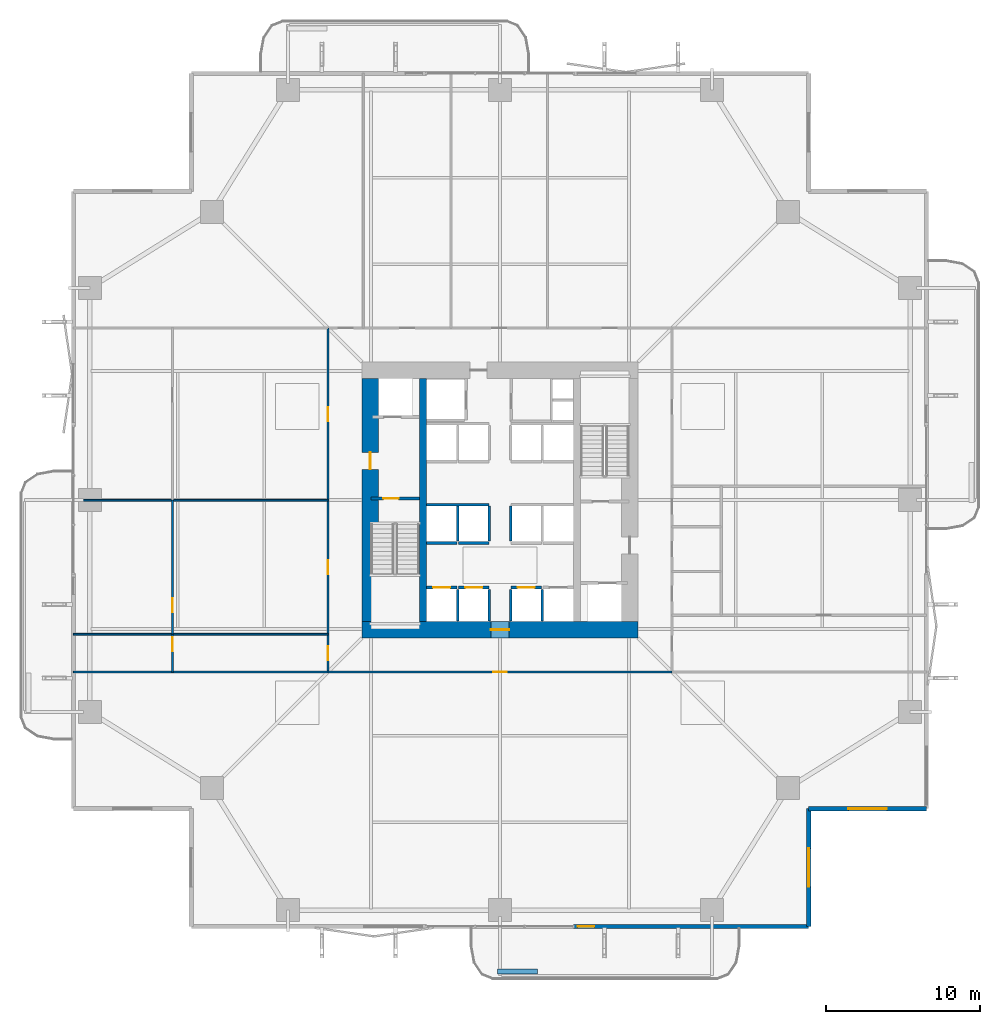
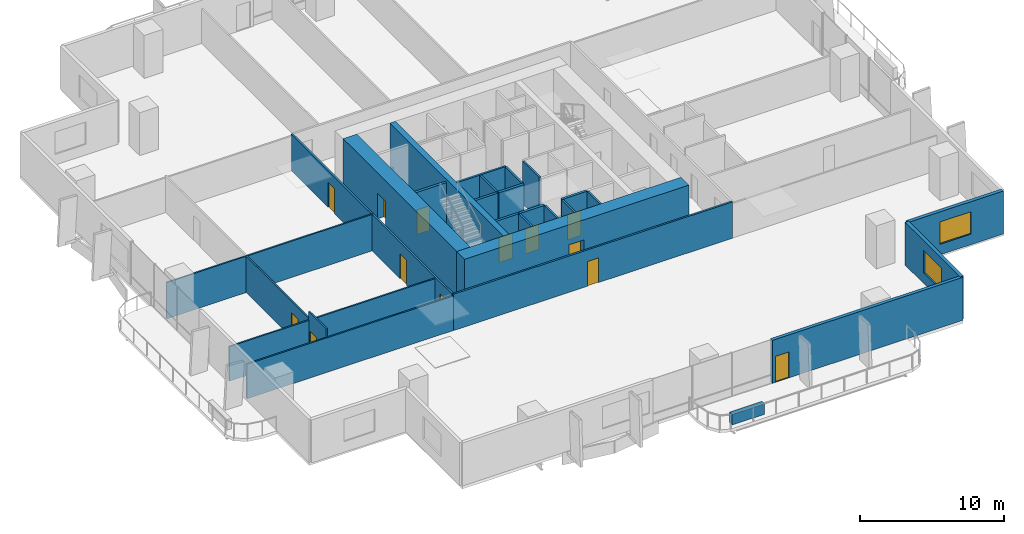
# One storey, part 17 of 24: 28 walls, 13 doors, 2 windows, 15 openings.
"""IFC4 building model written with IfcOpenShell, lengths in metres."""

from ifc_helpers import new_model, si_unit, direction, frame, frame_2d, origin, place, context, subcontext, project, spatial, rectangle, extrude, material, layer, layer_set, type_object, element, fill, save


model = new_model("IFC4")

# Units and contexts
model_context = context("Model", 3, precision=1e-05, world=origin(), true_north=direction((0.0, 1.0)))
body_context = subcontext(model_context, "Body", "Model", "MODEL_VIEW")
ifc_project = project(units=[si_unit("LENGTHUNIT", "METRE"), si_unit("AREAUNIT", "SQUARE_METRE"), si_unit("VOLUMEUNIT", "CUBIC_METRE"), si_unit("PLANEANGLEUNIT", "RADIAN"), si_unit("MASSUNIT", "GRAM", prefix="KILO")], contexts=[model_context])

# Site, building, storey
site_placement = place(None, origin())
site = spatial("IfcSite", under=ifc_project, at=site_placement, CompositionType="ELEMENT")
building_placement = place(site_placement, origin())
building = spatial("IfcBuilding", under=site, at=building_placement, Name="Belovzor Exchange Tower", CompositionType="ELEMENT")
storey_placement = place(building_placement, frame((0.0, 0.0, 72.89990234375)))
storey = spatial("IfcBuildingStorey", under=building, at=storey_placement, Name="L17", CompositionType="ELEMENT", Elevation=72.89990234375)

# Wall
ifc_material_1 = material(Name="Acoustic Plasterboard on Galvanised Studs", Category="gypsum")
ifc_layer_1 = layer(ifc_material_1, 0.1201171875)
ifc_layer_set_1 = layer_set([ifc_layer_1], Name="Acoustic Plasterboard on Galvanised Studs")
wall_type_1 = type_object("IfcWallType", Name="Acoustic Double-Stud Partition Wall 120", PredefinedType="PARTITIONING", material=ifc_layer_set_1)
wall_1_placement = place(storey_placement, frame((1.030029296875, 17.60009765625, 0.0), z_axis=(0.0, 0.0, 1.0), x_axis=(1.0, 0.0, 0.0)))
element("IfcWall", 1, at=wall_1_placement, inside=storey, type_object=wall_type_1, Name="W-P120 Partition Wall W-L17-END-SW", PredefinedType="PARTITIONING", context=body_context, shape_type="SweptSolid", body=[
    extrude(rectangle(XDim=16.570068359375, YDim=0.1201171875, at=frame_2d((8.28515625, 0.0))), origin(), (0.0, 0.0, 1.0), 2.93505859375),
])

# Wall, opening, door
wall_2_placement = place(storey_placement, frame((7.47607421875, 17.60009765625, 0.0), z_axis=(0.0, 0.0, 1.0), x_axis=(0.0, 1.0, 0.0)))
wall_2 = element("IfcWall", 2, at=wall_2_placement, inside=storey, type_object=wall_type_1, Name="W-P120 Partition Wall W-L17-WHDIV-0", PredefinedType="PARTITIONING", context=body_context, shape_type="SweptSolid", body=[
    extrude(rectangle(XDim=2.455810546875, YDim=0.1201171875, at=frame_2d((1.22802734375, 0.0))), origin(), (0.0, 0.0, 1.0), 3.650146484375),
])
opening_1_placement = place(wall_2_placement, frame((1.35595703125, 0.0, 0.0)))
opening_1 = element("IfcOpeningElement", 3, at=opening_1_placement, cuts=wall_2, Name="Opening D-INT-090", PredefinedType="OPENING", context=body_context, shape_type="SweptSolid", body=[
    extrude(rectangle(XDim=0.89990234375, YDim=2.10009765625, at=frame_2d((0.449951171875, 1.050048828125))), frame((0.0, 0.070068359375, 0.0), z_axis=(0.0, -1.0, 0.0), x_axis=(1.0, 0.0, 0.0)), (0.0, 0.0, 1.0), 0.14013671875),
])
ifc_material_2 = material(Name="Veneered Hardwood Acoustic Leaf", Category="wood")
door_type_1 = type_object("IfcDoorType", Name="Trading Suite Acoustic Single Door 900x2100", OperationType="NOTDEFINED", PredefinedType="DOOR", material=ifc_material_2)
door_1_placement = place(opening_1_placement, origin())
door_1 = element("IfcDoor", 4, at=door_1_placement, inside=storey, type_object=door_type_1, Name="D-INT-090 Trading Suite Acoustic Single Door 900x2100", OperationType="SINGLE_SWING_LEFT", OverallHeight=2.10009765625, OverallWidth=0.89990234375, PredefinedType="DOOR", context=body_context, shape_type="SweptSolid", body=[
    extrude(rectangle(XDim=0.89990234375, YDim=2.10009765625, at=frame_2d((0.449951171875, 1.050048828125))), frame((0.0, 0.02490234375, 0.0), z_axis=(0.0, -1.0, 0.0), x_axis=(1.0, 0.0, 0.0)), (0.0, 0.0, 1.0), 0.050048828125),
])
fill(opening_1, door_1)

# Wall
wall_3_placement = place(storey_placement, frame((1.030029296875, 20.055908203125, 0.0), z_axis=(0.0, 0.0, 1.0), x_axis=(1.0, 0.0, 0.0)))
element("IfcWall", 5, at=wall_3_placement, inside=storey, type_object=wall_type_1, Name="W-P120 Partition Wall W-L17-WDIV-1", PredefinedType="PARTITIONING", context=body_context, shape_type="SweptSolid", body=[
    extrude(rectangle(XDim=16.570068359375, YDim=0.1201171875, at=frame_2d((8.28515625, 0.0))), origin(), (0.0, 0.0, 1.0), 2.93505859375),
])

# Wall, opening, door
wall_4_placement = place(storey_placement, frame((7.47607421875, 20.055908203125, 0.0), z_axis=(0.0, 0.0, 1.0), x_axis=(0.0, 1.0, 0.0)))
wall_4 = element("IfcWall", 6, at=wall_4_placement, inside=storey, type_object=wall_type_1, Name="W-P120 Partition Wall W-L17-WHDIV-1", PredefinedType="PARTITIONING", context=body_context, shape_type="SweptSolid", body=[
    extrude(rectangle(XDim=8.731201171875, YDim=0.1201171875, at=frame_2d((4.36572265625, 0.0))), origin(), (0.0, 0.0, 1.0), 3.085205078125),
])
opening_2_placement = place(wall_4_placement, frame((1.43798828125, 0.0, 0.0)))
opening_2 = element("IfcOpeningElement", 7, at=opening_2_placement, cuts=wall_4, Name="Opening D-INT-090", PredefinedType="OPENING", context=body_context, shape_type="SweptSolid", body=[
    extrude(rectangle(XDim=0.89990234375, YDim=2.10009765625, at=frame_2d((0.449951171875, 1.050048828125))), frame((0.0, 0.070068359375, 0.0), z_axis=(0.0, -1.0, 0.0), x_axis=(1.0, 0.0, 0.0)), (0.0, 0.0, 1.0), 0.14013671875),
])
door_2_placement = place(opening_2_placement, origin())
door_2 = element("IfcDoor", 8, at=door_2_placement, inside=storey, type_object=door_type_1, Name="D-INT-090 Trading Suite Acoustic Single Door 900x2100", OperationType="SINGLE_SWING_LEFT", OverallHeight=2.10009765625, OverallWidth=0.89990234375, PredefinedType="DOOR", context=body_context, shape_type="SweptSolid", body=[
    extrude(rectangle(XDim=0.89990234375, YDim=2.10009765625, at=frame_2d((0.449951171875, 1.050048828125))), frame((0.0, 0.02490234375, 0.0), z_axis=(0.0, -1.0, 0.0), x_axis=(1.0, 0.0, 0.0)), (0.0, 0.0, 1.0), 0.050048828125),
])
fill(opening_2, door_2)

# Wall
wall_5_placement = place(storey_placement, frame((1.030029296875, 28.787109375, 0.0), z_axis=(0.0, 0.0, 1.0), x_axis=(1.0, 0.0, 0.0)))
element("IfcWall", 9, at=wall_5_placement, inside=storey, type_object=wall_type_1, Name="W-P120 Partition Wall W-L17-WDIV-2", PredefinedType="PARTITIONING", context=body_context, shape_type="SweptSolid", body=[
    extrude(rectangle(XDim=16.570068359375, YDim=0.1201171875, at=frame_2d((8.28515625, 0.0))), origin(), (0.0, 0.0, 1.0), 3.085205078125),
])

# Wall, opening, door
ifc_material_3 = material(Name="Fire-Rated Gypsum Block and Mineral Wool", Category="gypsum")
ifc_layer_2 = layer(ifc_material_3, 0.14990234375)
ifc_layer_set_2 = layer_set([ifc_layer_2], Name="Fire-Rated Gypsum Block and Mineral Wool")
wall_type_2 = type_object("IfcWallType", Name="Fire-Rated Gypsum Block Corridor Wall 150", PredefinedType="PARTITIONING", material=ifc_layer_set_2)
wall_6_placement = place(storey_placement, frame((17.60009765625, 17.60009765625, 0.0), z_axis=(0.0, 0.0, 1.0), x_axis=(1.0, 0.0, 0.0)))
wall_6 = element("IfcWall", 10, at=wall_6_placement, inside=storey, type_object=wall_type_2, Name="W-P150 Partition Wall W-L17-CS", PredefinedType="PARTITIONING", context=body_context, shape_type="SweptSolid", body=[
    extrude(rectangle(XDim=22.39990234375, YDim=0.14990234375, at=frame_2d((11.199951171875, 0.0))), origin(), (0.0, 0.0, 1.0), 3.085205078125),
])
opening_3_placement = place(wall_6_placement, frame((10.75, 0.0, 0.0)))
opening_3 = element("IfcOpeningElement", 11, at=opening_3_placement, cuts=wall_6, Name="Opening D-INT-090", PredefinedType="OPENING", context=body_context, shape_type="SweptSolid", body=[
    extrude(rectangle(XDim=0.89990234375, YDim=2.10009765625, at=frame_2d((0.449951171875, 1.050048828125))), frame((0.0, 0.0849609375, 0.0), z_axis=(0.0, -1.0, 0.0), x_axis=(1.0, 0.0, 0.0)), (0.0, 0.0, 1.0), 0.169921875),
])
door_3_placement = place(opening_3_placement, origin())
door_3 = element("IfcDoor", 12, at=door_3_placement, inside=storey, type_object=door_type_1, Name="D-INT-090 Trading Suite Acoustic Single Door 900x2100", OperationType="SINGLE_SWING_LEFT", OverallHeight=2.10009765625, OverallWidth=0.89990234375, PredefinedType="DOOR", context=body_context, shape_type="SweptSolid", body=[
    extrude(rectangle(XDim=0.89990234375, YDim=2.10009765625, at=frame_2d((0.449951171875, 1.050048828125))), frame((0.0, 0.02490234375, 0.0), z_axis=(0.0, -1.0, 0.0), x_axis=(1.0, 0.0, 0.0)), (0.0, 0.0, 1.0), 0.050048828125),
])
fill(opening_3, door_3)

# Wall, openings, doors
wall_7_placement = place(storey_placement, frame((17.60009765625, 17.60009765625, 0.0), z_axis=(0.0, 0.0, 1.0), x_axis=(0.0, 1.0, 0.0)))
wall_7 = element("IfcWall", 13, at=wall_7_placement, inside=storey, type_object=wall_type_2, Name="W-P150 Partition Wall W-L17-CW", PredefinedType="PARTITIONING", context=body_context, shape_type="SweptSolid", body=[
    extrude(rectangle(XDim=22.39990234375, YDim=0.14990234375, at=frame_2d((11.199951171875, 0.0))), origin(), (0.0, 0.0, 1.0), 3.085205078125),
])
opening_4_placement = place(wall_7_placement, frame((0.778076171875, 0.0, 0.0)))
opening_4 = element("IfcOpeningElement", 14, at=opening_4_placement, cuts=wall_7, Name="Opening D-INT-090", PredefinedType="OPENING", context=body_context, shape_type="SweptSolid", body=[
    extrude(rectangle(XDim=0.89990234375, YDim=2.10009765625, at=frame_2d((0.449951171875, 1.050048828125))), frame((0.0, 0.0849609375, 0.0), z_axis=(0.0, -1.0, 0.0), x_axis=(1.0, 0.0, 0.0)), (0.0, 0.0, 1.0), 0.169921875),
])
opening_5_placement = place(wall_7_placement, frame((6.3720703125, 0.0, 0.0)))
opening_5 = element("IfcOpeningElement", 15, at=opening_5_placement, cuts=wall_7, Name="Opening D-INT-090", PredefinedType="OPENING", context=body_context, shape_type="SweptSolid", body=[
    extrude(rectangle(XDim=0.89990234375, YDim=2.10009765625, at=frame_2d((0.449951171875, 1.050048828125))), frame((0.0, 0.0849609375, 0.0), z_axis=(0.0, -1.0, 0.0), x_axis=(1.0, 0.0, 0.0)), (0.0, 0.0, 1.0), 0.169921875),
])
opening_6_placement = place(wall_7_placement, frame((16.343017578125, 0.0, 0.0)))
opening_6 = element("IfcOpeningElement", 16, at=opening_6_placement, cuts=wall_7, Name="Opening D-INT-090", PredefinedType="OPENING", context=body_context, shape_type="SweptSolid", body=[
    extrude(rectangle(XDim=0.89990234375, YDim=2.10009765625, at=frame_2d((0.449951171875, 1.050048828125))), frame((0.0, 0.0849609375, 0.0), z_axis=(0.0, -1.0, 0.0), x_axis=(1.0, 0.0, 0.0)), (0.0, 0.0, 1.0), 0.169921875),
])
door_4_placement = place(opening_4_placement, origin())
door_4 = element("IfcDoor", 17, at=door_4_placement, inside=storey, type_object=door_type_1, Name="D-INT-090 Trading Suite Acoustic Single Door 900x2100", OperationType="SINGLE_SWING_LEFT", OverallHeight=2.10009765625, OverallWidth=0.89990234375, PredefinedType="DOOR", context=body_context, shape_type="SweptSolid", body=[
    extrude(rectangle(XDim=0.89990234375, YDim=2.10009765625, at=frame_2d((0.449951171875, 1.050048828125))), frame((0.0, 0.02490234375, 0.0), z_axis=(0.0, -1.0, 0.0), x_axis=(1.0, 0.0, 0.0)), (0.0, 0.0, 1.0), 0.050048828125),
])
fill(opening_4, door_4)
door_5_placement = place(opening_5_placement, origin())
door_5 = element("IfcDoor", 18, at=door_5_placement, inside=storey, type_object=door_type_1, Name="D-INT-090 Trading Suite Acoustic Single Door 900x2100", OperationType="SINGLE_SWING_RIGHT", OverallHeight=2.10009765625, OverallWidth=0.89990234375, PredefinedType="DOOR", context=body_context, shape_type="SweptSolid", body=[
    extrude(rectangle(XDim=0.89990234375, YDim=2.10009765625, at=frame_2d((0.449951171875, 1.050048828125))), frame((0.0, 0.02490234375, 0.0), z_axis=(0.0, -1.0, 0.0), x_axis=(1.0, 0.0, 0.0)), (0.0, 0.0, 1.0), 0.050048828125),
])
fill(opening_5, door_5)
door_6_placement = place(opening_6_placement, origin())
door_6 = element("IfcDoor", 19, at=door_6_placement, inside=storey, type_object=door_type_1, Name="D-INT-090 Trading Suite Acoustic Single Door 900x2100", OperationType="SINGLE_SWING_LEFT", OverallHeight=2.10009765625, OverallWidth=0.89990234375, PredefinedType="DOOR", context=body_context, shape_type="SweptSolid", body=[
    extrude(rectangle(XDim=0.89990234375, YDim=2.10009765625, at=frame_2d((0.449951171875, 1.050048828125))), frame((0.0, 0.02490234375, 0.0), z_axis=(0.0, -1.0, 0.0), x_axis=(1.0, 0.0, 0.0)), (0.0, 0.0, 1.0), 0.050048828125),
])
fill(opening_6, door_6)

# Wall, opening, window
ifc_material_4 = material(Name="Precast concrete C40/50", Category="concrete")
ifc_layer_3 = layer(ifc_material_4, 0.280029296875)
ifc_layer_set_3 = layer_set([ifc_layer_3], Name="Precast concrete C40/50")
wall_type_3 = type_object("IfcWallType", Name="Precast Concrete Notched Corner Frame Wall 280", PredefinedType="SOLIDWALL", material=ifc_layer_set_3)
wall_8_placement = place(storey_placement, frame((56.570068359375, 8.699951171875, 0.0), z_axis=(0.0, 0.0, 1.0), x_axis=(-1.0, 0.0, 0.0)))
wall_8 = element("IfcWall", 20, at=wall_8_placement, inside=storey, type_object=wall_type_3, Name="W-CRN280 Precast Concrete Notched Corner Frame Wall 280 L17", PredefinedType="SOLIDWALL", context=body_context, shape_type="SweptSolid", body=[
    extrude(rectangle(XDim=7.670166015625, YDim=0.280029296875, at=frame_2d((3.8349609375, 0.0))), origin(), (0.0, 0.0, 1.0), 3.650146484375),
])
opening_7_placement = place(wall_8_placement, frame((2.5849609375, 0.0, 0.89990234375)))
opening_7 = element("IfcOpeningElement", 21, at=opening_7_placement, cuts=wall_8, Name="Opening WN-CRN250", PredefinedType="OPENING", context=body_context, shape_type="SweptSolid", body=[
    extrude(rectangle(XDim=2.5, YDim=1.89990234375, at=frame_2d((1.25, 0.949951171875))), frame((0.0, 0.14990234375, 0.0), z_axis=(0.0, -1.0, 0.0), x_axis=(1.0, 0.0, 0.0)), (0.0, 0.0, 1.0), 0.300048828125),
])
ifc_material_5 = material(Name="Thermally Broken Aluminium and Triple Glazing", Category="aluminium")
window_type = type_object("IfcWindowType", Name="Streamline Moderne Corner Wrap Ribbon Window 2500x1900", PartitioningType="SINGLE_PANEL", PredefinedType="WINDOW", material=ifc_material_5)
window_1_placement = place(opening_7_placement, origin())
window_1 = element("IfcWindow", 22, at=window_1_placement, inside=storey, type_object=window_type, Name="WN-CRN250 Streamline Moderne Corner Wrap Ribbon Window 2500x1900", OverallHeight=1.89990234375, OverallWidth=2.5, PartitioningType="SINGLE_PANEL", PredefinedType="WINDOW", context=body_context, shape_type="SweptSolid", body=[
    extrude(rectangle(XDim=2.5, YDim=1.89990234375, at=frame_2d((1.25, 0.949951171875))), frame((0.0, 0.030029296875, 0.0), z_axis=(0.0, -1.0, 0.0), x_axis=(1.0, 0.0, 0.0)), (0.0, 0.0, 1.0), 0.06005859375),
])
fill(opening_7, window_1)

wall_9_placement = place(storey_placement, frame((48.89990234375, 8.699951171875, 0.0), z_axis=(0.0, 0.0, 1.0), x_axis=(0.0, -1.0, 0.0)))
wall_9 = element("IfcWall", 23, at=wall_9_placement, inside=storey, type_object=wall_type_3, Name="W-CRN280 Precast Concrete Notched Corner Frame Wall 280 L17", PredefinedType="SOLIDWALL", context=body_context, shape_type="SweptSolid", body=[
    extrude(rectangle(XDim=7.669921875, YDim=0.280029296875, at=frame_2d((3.8349609375, 0.0))), origin(), (0.0, 0.0, 1.0), 3.650146484375),
])
opening_8_placement = place(wall_9_placement, frame((2.5849609375, 0.0, 0.89990234375)))
opening_8 = element("IfcOpeningElement", 24, at=opening_8_placement, cuts=wall_9, Name="Opening WN-CRN250", PredefinedType="OPENING", context=body_context, shape_type="SweptSolid", body=[
    extrude(rectangle(XDim=2.5, YDim=1.89990234375, at=frame_2d((1.25, 0.949951171875))), frame((0.0, 0.14990234375, 0.0), z_axis=(0.0, -1.0, 0.0), x_axis=(1.0, 0.0, 0.0)), (0.0, 0.0, 1.0), 0.300048828125),
])
window_2_placement = place(opening_8_placement, origin())
window_2 = element("IfcWindow", 25, at=window_2_placement, inside=storey, type_object=window_type, Name="WN-CRN250 Streamline Moderne Corner Wrap Ribbon Window 2500x1900", OverallHeight=1.89990234375, OverallWidth=2.5, PartitioningType="SINGLE_PANEL", PredefinedType="WINDOW", context=body_context, shape_type="SweptSolid", body=[
    extrude(rectangle(XDim=2.5, YDim=1.89990234375, at=frame_2d((1.25, 0.949951171875))), frame((0.0, 0.030029296875, 0.0), z_axis=(0.0, -1.0, 0.0), x_axis=(1.0, 0.0, 0.0)), (0.0, 0.0, 1.0), 0.06005859375),
])
fill(opening_8, window_2)

# Wall, opening, door
ifc_material_6 = material(Name="Precast concrete C40/50", Category="concrete")
ifc_layer_4 = layer(ifc_material_6, 0.260009765625)
ifc_layer_set_4 = layer_set([ifc_layer_4], Name="Precast concrete C40/50")
wall_type_4 = type_object("IfcWallType", Name="Precast Concrete Perimeter Loggia Frame Wall 260", PredefinedType="SOLIDWALL", material=ifc_layer_set_4)
wall_10_placement = place(storey_placement, frame((48.89990234375, 1.030029296875, 0.0), z_axis=(0.0, 0.0, 1.0), x_axis=(-1.0, 0.0, 0.0)))
wall_10 = element("IfcWall", 26, at=wall_10_placement, inside=storey, type_object=wall_type_4, Name="W-EXT260 Precast Concrete Perimeter Loggia Frame Wall 260 L17", PredefinedType="SOLIDWALL", context=body_context, shape_type="SweptSolid", body=[
    extrude(rectangle(XDim=15.2998046875, YDim=0.260009765625, at=frame_2d((7.64990234375, 0.0))), origin(), (0.0, 0.0, 1.0), 3.650146484375),
])
opening_9_placement = place(wall_10_placement, frame((13.949951171875, 0.0, 0.0)))
opening_9 = element("IfcOpeningElement", 27, at=opening_9_placement, cuts=wall_10, Name="Opening D-BAL110", PredefinedType="OPENING", context=body_context, shape_type="SweptSolid", body=[
    extrude(rectangle(XDim=1.10009765625, YDim=2.199951171875, at=frame_2d((0.550048828125, 1.10009765625))), frame((0.0, 0.139892578125, 0.0), z_axis=(0.0, -1.0, 0.0), x_axis=(1.0, 0.0, 0.0)), (0.0, 0.0, 1.0), 0.280029296875),
])
ifc_material_7 = material(Name="Thermally Broken Anodised Aluminium and Laminated Glass", Category="aluminium")
door_type_2 = type_object("IfcDoorType", Name="Planted Loggia Terrace Glazed Door 1100x2200", OperationType="SINGLE_SWING_LEFT", PredefinedType="DOOR", material=ifc_material_7)
door_7_placement = place(opening_9_placement, origin())
door_7 = element("IfcDoor", 28, at=door_7_placement, inside=storey, type_object=door_type_2, Name="D-BAL110 Balcony Terrace Door L17 S", OperationType="SINGLE_SWING_LEFT", OverallHeight=2.199951171875, OverallWidth=1.10009765625, PredefinedType="DOOR", context=body_context, shape_type="SweptSolid", body=[
    extrude(rectangle(XDim=1.10009765625, YDim=2.199951171875, at=frame_2d((0.550048828125, 1.10009765625))), frame((0.0, 0.02490234375, 0.0), z_axis=(0.0, -1.0, 0.0), x_axis=(1.0, 0.0, 0.0)), (0.0, 0.0, 1.0), 0.050048828125),
])
fill(opening_9, door_7)

# Walls
ifc_material_8 = material(Name="Precast concrete C40/50", Category="concrete")
ifc_layer_5 = layer(ifc_material_8, 0.35009765625)
ifc_layer_set_5 = layer_set([ifc_layer_5], Name="Precast concrete C40/50")
wall_type_5 = type_object("IfcWallType", Name="Precast Concrete Structural Tree Planter Trough 350", PredefinedType="PARAPET", material=ifc_layer_set_5)
wall_11_placement = place(storey_placement, frame((28.64990234375, -1.89990234375, 0.0), z_axis=(0.0, 0.0, 1.0), x_axis=(1.0, 0.0, 0.0)))
element("IfcWall", 29, at=wall_11_placement, inside=storey, type_object=wall_type_5, Name="PT-350 Precast Concrete Structural Tree Planter Trough 350 L17", PredefinedType="PARAPET", context=body_context, shape_type="SweptSolid", body=[
    extrude(rectangle(XDim=2.60009765625, YDim=0.35009765625, at=frame_2d((1.300048828125, 0.0))), origin(), (0.0, 0.0, 1.0), 0.900146484375),
])
ifc_material_9 = material(Name="Concrete C50/60", Category="concrete")
ifc_layer_6 = layer(ifc_material_9, 0.449951171875)
ifc_layer_set_6 = layer_set([ifc_layer_6], Name="Concrete C50/60")
wall_type_6 = type_object("IfcWallType", Name="Reinforced Concrete Core Internal Web Wall 450", PredefinedType="SHEAR", material=ifc_layer_set_6)
wall_12_placement = place(storey_placement, frame((23.77490234375, 20.89990234375, 0.0), z_axis=(0.0, 0.0, 1.0), x_axis=(0.0, 1.0, 0.0)))
element("IfcWall", 30, at=wall_12_placement, inside=storey, type_object=wall_type_6, Name="CW-W045 Core Internal Web Wall L17 WL", PredefinedType="SHEAR", context=body_context, shape_type="SweptSolid", body=[
    extrude(rectangle(XDim=15.800048828125, YDim=0.449951171875, at=frame_2d((7.89990234375, 0.0))), origin(), (0.0, 0.0, 1.0), 3.900146484375),
])
ifc_material_10 = material(Name="Concrete C50/60", Category="concrete")
ifc_layer_7 = layer(ifc_material_10, 0.14990234375)
ifc_layer_set_7 = layer_set([ifc_layer_7], Name="Concrete C50/60")
wall_type_7 = type_object("IfcWallType", Name="Reinforced Concrete Core Riser Shear Wall 150", PredefinedType="SHEAR", material=ifc_layer_set_7)
for number, where, z_axis, x_axis, name in (
    (31, (26.050048828125, 20.919921875, 0.0), (0.0, 0.0, 1.0), (0.0, 1.0, 0.0), "W-C150S Core Shaft Wall W-SHD-L17-PLL-1"),
    (32, (28.10009765625, 20.919921875, 0.0), (0.0, 0.0, 1.0), (0.0, 1.0, 0.0), "W-C150S Core Shaft Wall W-SHD-L17-PLL-2"),
    (33, (29.5, 20.919921875, 0.0), (0.0, 0.0, 1.0), (0.0, 1.0, 0.0), "W-C150S Core Shaft Wall W-SHD-L17-PLL-3"),
    (34, (31.550048828125, 20.919921875, 0.0), (0.0, 0.0, 1.0), (0.0, 1.0, 0.0), "W-C150S Core Shaft Wall W-SHD-L17-PLL-4"),
):
    element("IfcWall", number, at=place(storey_placement, frame(where, z_axis=z_axis, x_axis=x_axis)), inside=storey, type_object=wall_type_7, Name=name, PredefinedType="SHEAR", context=body_context, shape_type="SweptSolid", body=[
        extrude(rectangle(XDim=2.06005859375, YDim=0.14990234375, at=frame_2d((1.030029296875, 0.0))), origin(), (0.0, 0.0, 1.0), 3.650146484375),
    ])
wall_13_placement = place(storey_placement, frame((24.02001953125, 28.5, 0.0), z_axis=(0.0, 0.0, 1.0), x_axis=(1.0, 0.0, 0.0)))
element("IfcWall", 35, at=wall_13_placement, inside=storey, type_object=wall_type_7, Name="W-C150S Core Shaft Wall W-SHB-L17-PLM-NW", PredefinedType="SHEAR", context=body_context, shape_type="SweptSolid", body=[
    extrude(rectangle(XDim=4.080078125, YDim=0.14990234375, at=frame_2d((2.0400390625, 0.0))), origin(), (0.0, 0.0, 1.0), 3.650146484375),
])
for number, where, z_axis, x_axis, name in (
    (36, (26.050048828125, 26.1201171875, 0.0), (0.0, 0.0, 1.0), (0.0, 1.0, 0.0), "W-C150S Core Shaft Wall W-SHD-L17-PLM-1"),
    (37, (28.10009765625, 26.1201171875, 0.0), (0.0, 0.0, 1.0), (0.0, 1.0, 0.0), "W-C150S Core Shaft Wall W-SHD-L17-PLM-2"),
    (38, (29.5, 26.1201171875, 0.0), (0.0, 0.0, 1.0), (0.0, 1.0, 0.0), "W-C150S Core Shaft Wall W-SHD-L17-PLM-3"),
):
    element("IfcWall", number, at=place(storey_placement, frame(where, z_axis=z_axis, x_axis=x_axis)), inside=storey, type_object=wall_type_7, Name=name, PredefinedType="SHEAR", context=body_context, shape_type="SweptSolid", body=[
        extrude(rectangle(XDim=2.27978515625, YDim=0.14990234375, at=frame_2d((1.139892578125, 0.0))), origin(), (0.0, 0.0, 1.0), 3.650146484375),
    ])

# Wall, opening, door
ifc_material_11 = material(Name="Concrete C50/60", Category="concrete")
ifc_layer_8 = layer(ifc_material_11, 0.199951171875)
ifc_layer_set_8 = layer_set([ifc_layer_8], Name="Concrete C50/60")
wall_type_8 = type_object("IfcWallType", Name="Reinforced Concrete Core Shaft Shear Wall 200", PredefinedType="SHEAR", material=ifc_layer_set_8)
wall_14_placement = place(storey_placement, frame((20.39990234375, 28.89990234375, 0.0), z_axis=(0.0, 0.0, 1.0), x_axis=(1.0, 0.0, 0.0)))
wall_14 = element("IfcWall", 39, at=wall_14_placement, inside=storey, type_object=wall_type_8, Name="W-C200S Core Shaft Wall W-CORE-L17-FFLW1", PredefinedType="SHEAR", context=body_context, shape_type="SweptSolid", body=[
    extrude(rectangle(XDim=3.150146484375, YDim=0.199951171875, at=frame_2d((1.5751953125, 0.0))), origin(), (0.0, 0.0, 1.0), 3.650146484375),
])
opening_10_placement = place(wall_14_placement, frame((0.800048828125, 0.0, 0.0)))
opening_10 = element("IfcOpeningElement", 40, at=opening_10_placement, cuts=wall_14, Name="Opening D-FD90-100", PredefinedType="OPENING", context=body_context, shape_type="SweptSolid", body=[
    extrude(rectangle(XDim=1.0, YDim=2.10009765625, at=frame_2d((0.5, 1.050048828125))), frame((0.0, 0.10986328125, 0.0), z_axis=(0.0, -1.0, 0.0), x_axis=(1.0, 0.0, 0.0)), (0.0, 0.0, 1.0), 0.219970703125),
])
ifc_material_12 = material(Name="Fire-Rated Galvanised Steel Leaf", Category="steel")
door_type_3 = type_object("IfcDoorType", Name="Protected Stairwell Single Fire Door 1000x2100", OperationType="NOTDEFINED", PredefinedType="DOOR", material=ifc_material_12)
door_8_placement = place(opening_10_placement, origin())
door_8 = element("IfcDoor", 41, at=door_8_placement, inside=storey, type_object=door_type_3, Name="D-FD90-100 Protected Stairwell Single Fire Door 1000x2100", OperationType="SINGLE_SWING_RIGHT", OverallHeight=2.10009765625, OverallWidth=1.0, PredefinedType="DOOR", context=body_context, shape_type="SweptSolid", body=[
    extrude(rectangle(XDim=1.0, YDim=2.10009765625, at=frame_2d((0.5, 1.050048828125))), frame((0.0, 0.02490234375, 0.0), z_axis=(0.0, -1.0, 0.0), x_axis=(1.0, 0.0, 0.0)), (0.0, 0.0, 1.0), 0.050048828125),
])
fill(opening_10, door_8)

wall_15_placement = place(storey_placement, frame((24.0, 23.10009765625, 0.0), z_axis=(0.0, 0.0, 1.0), x_axis=(1.0, 0.0, 0.0)))
wall_15 = element("IfcWall", 42, at=wall_15_placement, inside=storey, type_object=wall_type_8, Name="W-C200S Core Shaft Wall W-SH-L17-PL-L1", PredefinedType="SHEAR", context=body_context, shape_type="SweptSolid", body=[
    extrude(rectangle(XDim=2.0, YDim=0.199951171875, at=frame_2d((1.0, 0.0))), origin(), (0.0, 0.0, 1.0), 3.650146484375),
])
opening_11_placement = place(wall_15_placement, frame((0.449951171875, 0.0, 0.0)))
opening_11 = element("IfcOpeningElement", 43, at=opening_11_placement, cuts=wall_15, Name="Opening LD-110", PredefinedType="OPENING", context=body_context, shape_type="SweptSolid", body=[
    extrude(rectangle(XDim=1.10009765625, YDim=2.14990234375, at=frame_2d((0.550048828125, 1.074951171875))), frame((0.0, 0.10986328125, 0.0), z_axis=(0.0, -1.0, 0.0), x_axis=(1.0, 0.0, 0.0)), (0.0, 0.0, 1.0), 0.219970703125),
])
ifc_material_13 = material(Name="Stainless Steel Grade 304", Category="steel")
door_type_4 = type_object("IfcDoorType", Name="Automated Stainless Steel Lift Landing Door 1100x2150", OperationType="SLIDING_TO_RIGHT", PredefinedType="DOOR", material=ifc_material_13)
door_9_placement = place(opening_11_placement, origin())
door_9 = element("IfcDoor", 44, at=door_9_placement, inside=storey, type_object=door_type_4, Name="LD-110 Automated Stainless Steel Lift Landing Door 1100x2150", OperationType="SLIDING_TO_RIGHT", OverallHeight=2.14990234375, OverallWidth=1.10009765625, PredefinedType="DOOR", context=body_context, shape_type="SweptSolid", body=[
    extrude(rectangle(XDim=1.10009765625, YDim=2.14990234375, at=frame_2d((0.550048828125, 1.074951171875))), frame((0.0, 0.02490234375, 0.0), z_axis=(0.0, -1.0, 0.0), x_axis=(1.0, 0.0, 0.0)), (0.0, 0.0, 1.0), 0.050048828125),
])
fill(opening_11, door_9)

wall_16_placement = place(storey_placement, frame((26.10009765625, 23.10009765625, 0.0), z_axis=(0.0, 0.0, 1.0), x_axis=(1.0, 0.0, 0.0)))
wall_16 = element("IfcWall", 45, at=wall_16_placement, inside=storey, type_object=wall_type_8, Name="W-C200S Core Shaft Wall W-SH-L17-PL-L2", PredefinedType="SHEAR", context=body_context, shape_type="SweptSolid", body=[
    extrude(rectangle(XDim=2.0, YDim=0.199951171875, at=frame_2d((1.0, 0.0))), origin(), (0.0, 0.0, 1.0), 3.650146484375),
])
opening_12_placement = place(wall_16_placement, frame((0.449951171875, 0.0, 0.0)))
opening_12 = element("IfcOpeningElement", 46, at=opening_12_placement, cuts=wall_16, Name="Opening LD-110", PredefinedType="OPENING", context=body_context, shape_type="SweptSolid", body=[
    extrude(rectangle(XDim=1.10009765625, YDim=2.14990234375, at=frame_2d((0.550048828125, 1.074951171875))), frame((0.0, 0.10986328125, 0.0), z_axis=(0.0, -1.0, 0.0), x_axis=(1.0, 0.0, 0.0)), (0.0, 0.0, 1.0), 0.219970703125),
])
door_10_placement = place(opening_12_placement, origin())
door_10 = element("IfcDoor", 47, at=door_10_placement, inside=storey, type_object=door_type_4, Name="LD-110 Automated Stainless Steel Lift Landing Door 1100x2150", OperationType="SLIDING_TO_RIGHT", OverallHeight=2.14990234375, OverallWidth=1.10009765625, PredefinedType="DOOR", context=body_context, shape_type="SweptSolid", body=[
    extrude(rectangle(XDim=1.10009765625, YDim=2.14990234375, at=frame_2d((0.550048828125, 1.074951171875))), frame((0.0, 0.02490234375, 0.0), z_axis=(0.0, -1.0, 0.0), x_axis=(1.0, 0.0, 0.0)), (0.0, 0.0, 1.0), 0.050048828125),
])
fill(opening_12, door_10)

wall_17_placement = place(storey_placement, frame((29.5, 23.10009765625, 0.0), z_axis=(0.0, 0.0, 1.0), x_axis=(1.0, 0.0, 0.0)))
wall_17 = element("IfcWall", 48, at=wall_17_placement, inside=storey, type_object=wall_type_8, Name="W-C200S Core Shaft Wall W-SH-L17-PL-L3", PredefinedType="SHEAR", context=body_context, shape_type="SweptSolid", body=[
    extrude(rectangle(XDim=2.0, YDim=0.199951171875, at=frame_2d((1.0, 0.0))), origin(), (0.0, 0.0, 1.0), 3.650146484375),
])
opening_13_placement = place(wall_17_placement, frame((0.449951171875, 0.0, 0.0)))
opening_13 = element("IfcOpeningElement", 49, at=opening_13_placement, cuts=wall_17, Name="Opening LD-110", PredefinedType="OPENING", context=body_context, shape_type="SweptSolid", body=[
    extrude(rectangle(XDim=1.10009765625, YDim=2.14990234375, at=frame_2d((0.550048828125, 1.074951171875))), frame((0.0, 0.10986328125, 0.0), z_axis=(0.0, -1.0, 0.0), x_axis=(1.0, 0.0, 0.0)), (0.0, 0.0, 1.0), 0.219970703125),
])
door_11_placement = place(opening_13_placement, origin())
door_11 = element("IfcDoor", 50, at=door_11_placement, inside=storey, type_object=door_type_4, Name="LD-110 Automated Stainless Steel Lift Landing Door 1100x2150", OperationType="SLIDING_TO_RIGHT", OverallHeight=2.14990234375, OverallWidth=1.10009765625, PredefinedType="DOOR", context=body_context, shape_type="SweptSolid", body=[
    extrude(rectangle(XDim=1.10009765625, YDim=2.14990234375, at=frame_2d((0.550048828125, 1.074951171875))), frame((0.0, 0.02490234375, 0.0), z_axis=(0.0, -1.0, 0.0), x_axis=(1.0, 0.0, 0.0)), (0.0, 0.0, 1.0), 0.050048828125),
])
fill(opening_13, door_11)

# Walls
for number, where, z_axis, x_axis, name in (
    (51, (24.0, 26.0, 0.0), (0.0, 0.0, 1.0), (1.0, 0.0, 0.0), "W-C200S Core Shaft Wall W-SH-L17-PL-M1"),
    (52, (26.10009765625, 26.0, 0.0), (0.0, 0.0, 1.0), (1.0, 0.0, 0.0), "W-C200S Core Shaft Wall W-SH-L17-PL-M2"),
):
    element("IfcWall", number, at=place(storey_placement, frame(where, z_axis=z_axis, x_axis=x_axis)), inside=storey, type_object=wall_type_8, Name=name, PredefinedType="SHEAR", context=body_context, shape_type="SweptSolid", body=[
        extrude(rectangle(XDim=2.0, YDim=0.199951171875, at=frame_2d((1.0, 0.0))), origin(), (0.0, 0.0, 1.0), 3.650146484375),
    ])

# Wall, opening, door
ifc_material_14 = material(Name="Concrete C60/75", Category="concrete")
ifc_layer_9 = layer(ifc_material_14, 1.10009765625)
ifc_layer_set_9 = layer_set([ifc_layer_9], Name="Concrete C60/75")
wall_type_9 = type_object("IfcWallType", Name="Reinforced Concrete Core Shear Wall 1100", PredefinedType="SHEAR", material=ifc_layer_set_9)
wall_18_placement = place(storey_placement, frame((19.800048828125, 20.35009765625, 0.0), z_axis=(0.0, 0.0, 1.0), x_axis=(1.0, 0.0, 0.0)))
wall_18 = element("IfcWall", 53, at=wall_18_placement, inside=storey, type_object=wall_type_9, Name="CW-S110 Core Shear Wall L17 S", PredefinedType="SHEAR", context=body_context, shape_type="SweptSolid", body=[
    extrude(rectangle(XDim=18.0, YDim=1.10009765625, at=frame_2d((9.0, 0.0))), origin(), (0.0, 0.0, 1.0), 3.900146484375),
])
opening_14_placement = place(wall_18_placement, frame((8.39990234375, 0.0, 0.0)))
opening_14 = element("IfcOpeningElement", 54, at=opening_14_placement, cuts=wall_18, Name="Opening D-FD90-120", PredefinedType="OPENING", context=body_context, shape_type="SweptSolid", body=[
    extrude(rectangle(XDim=1.199951171875, YDim=2.199951171875, at=frame_2d((0.60009765625, 1.10009765625))), frame((0.0, 0.56005859375, 0.0), z_axis=(0.0, -1.0, 0.0), x_axis=(1.0, 0.0, 0.0)), (0.0, 0.0, 1.0), 1.1201171875),
])
ifc_material_15 = material(Name="Fire-Rated Galvanised Steel Leaf", Category="steel")
door_type_5 = type_object("IfcDoorType", Name="Heavy Plant & Foyer Fire Door 1200x2200", OperationType="NOTDEFINED", PredefinedType="DOOR", material=ifc_material_15)
door_12_placement = place(opening_14_placement, origin())
door_12 = element("IfcDoor", 55, at=door_12_placement, inside=storey, type_object=door_type_5, Name="D-FD90-120 Heavy Plant & Foyer Fire Door 1200x2200", OperationType="SINGLE_SWING_LEFT", OverallHeight=2.199951171875, OverallWidth=1.199951171875, PredefinedType="DOOR", context=body_context, shape_type="SweptSolid", body=[
    extrude(rectangle(XDim=1.199951171875, YDim=2.199951171875, at=frame_2d((0.60009765625, 1.10009765625))), frame((0.0, 0.02490234375, 0.0), z_axis=(0.0, -1.0, 0.0), x_axis=(1.0, 0.0, 0.0)), (0.0, 0.0, 1.0), 0.050048828125),
])
fill(opening_14, door_12)

wall_19_placement = place(storey_placement, frame((20.35009765625, 20.89990234375, 0.0), z_axis=(0.0, 0.0, 1.0), x_axis=(0.0, 1.0, 0.0)))
wall_19 = element("IfcWall", 56, at=wall_19_placement, inside=storey, type_object=wall_type_9, Name="CW-S110 Core Shear Wall L17 W", PredefinedType="SHEAR", context=body_context, shape_type="SweptSolid", body=[
    extrude(rectangle(XDim=15.800048828125, YDim=1.10009765625, at=frame_2d((7.89990234375, 0.0))), origin(), (0.0, 0.0, 1.0), 3.900146484375),
])
opening_15_placement = place(wall_19_placement, frame((9.89990234375, 0.0, 0.0)))
opening_15 = element("IfcOpeningElement", 57, at=opening_15_placement, cuts=wall_19, Name="Opening D-FD90-110", PredefinedType="OPENING", context=body_context, shape_type="SweptSolid", body=[
    extrude(rectangle(XDim=1.10009765625, YDim=2.14990234375, at=frame_2d((0.550048828125, 1.074951171875))), frame((0.0, 0.56005859375, 0.0), z_axis=(0.0, -1.0, 0.0), x_axis=(1.0, 0.0, 0.0)), (0.0, 0.0, 1.0), 1.1201171875),
])
ifc_material_16 = material(Name="Fire-Rated Galvanised Steel Leaf", Category="steel")
door_type_6 = type_object("IfcDoorType", Name="Protected Escape Vestibule Fire Door 1100x2150", OperationType="NOTDEFINED", PredefinedType="DOOR", material=ifc_material_16)
door_13_placement = place(opening_15_placement, origin())
door_13 = element("IfcDoor", 58, at=door_13_placement, inside=storey, type_object=door_type_6, Name="D-FD90-110 Protected Escape Vestibule Fire Door 1100x2150", OperationType="SINGLE_SWING_LEFT", OverallHeight=2.14990234375, OverallWidth=1.10009765625, PredefinedType="DOOR", context=body_context, shape_type="SweptSolid", body=[
    extrude(rectangle(XDim=1.10009765625, YDim=2.14990234375, at=frame_2d((0.550048828125, 1.074951171875))), frame((0.0, 0.02490234375, 0.0), z_axis=(0.0, -1.0, 0.0), x_axis=(1.0, 0.0, 0.0)), (0.0, 0.0, 1.0), 0.050048828125),
])
fill(opening_15, door_13)

save(model, "model.ifc")
